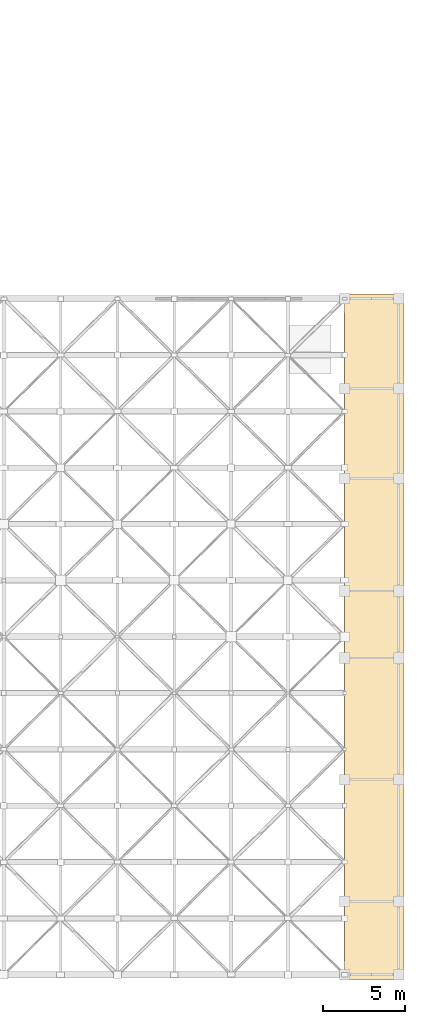
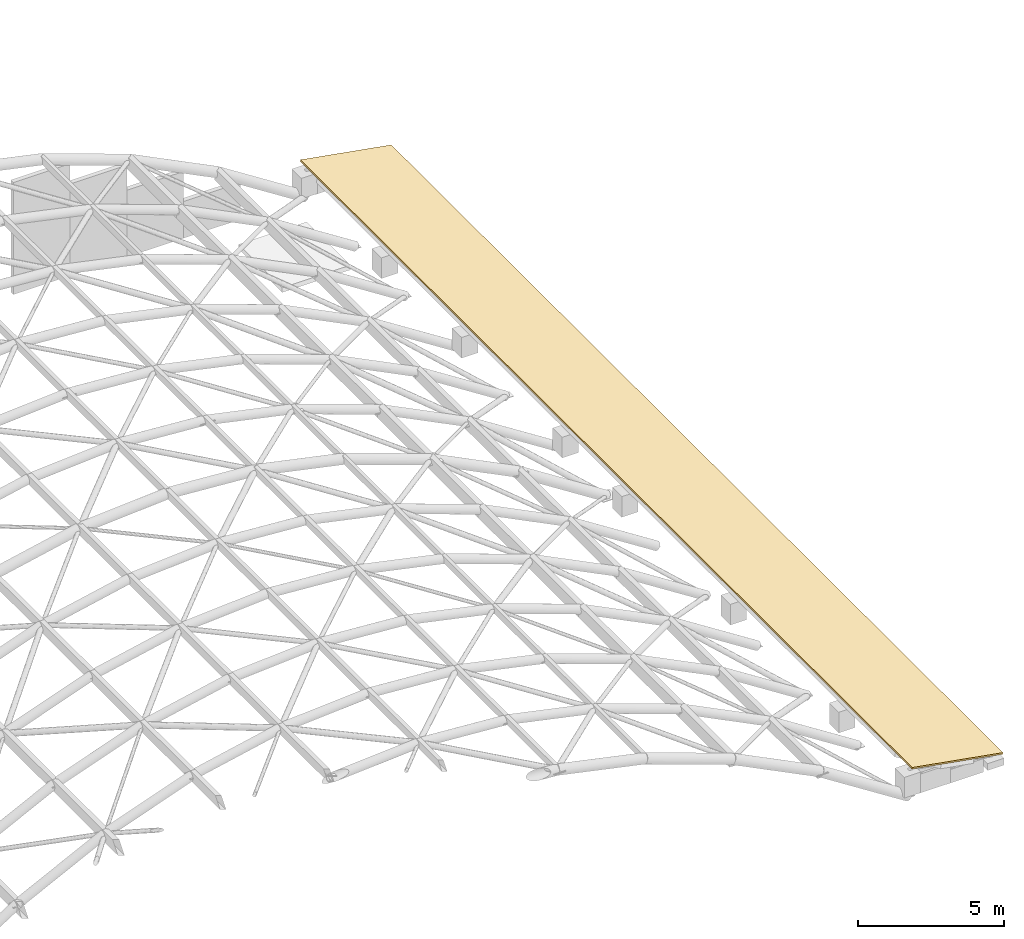
# One storey, part 52 of 52: 1 covering, 1 element without a shape of its own.
"""IFC4 building model written with IfcOpenShell, lengths in metres."""

from ifc_helpers import new_model, si_unit, direction, frame, origin, place, context, subcontext, project, spatial, polyline, outline, extrude, material, layer, layer_set, type_object, element, aggregate, save


model = new_model("IFC4")

# Units and contexts
model_context = context("Model", 3, precision=1e-05, world=origin(), true_north=direction((0.0, 1.0)))
body_context = subcontext(model_context, "Body", "Model", "MODEL_VIEW")
ifc_project = project(units=[si_unit("LENGTHUNIT", "METRE"), si_unit("AREAUNIT", "SQUARE_METRE"), si_unit("VOLUMEUNIT", "CUBIC_METRE"), si_unit("PLANEANGLEUNIT", "RADIAN"), si_unit("MASSUNIT", "GRAM", prefix="KILO")], contexts=[model_context])

# Site, building, storey
site_placement = place(None, origin())
site = spatial("IfcSite", under=ifc_project, at=site_placement, CompositionType="ELEMENT")
building_placement = place(site_placement, origin())
building = spatial("IfcBuilding", under=site, at=building_placement, Name="Candilejo Ridge Gondola Terminal", CompositionType="ELEMENT")
storey_placement = place(building_placement, frame((0.0, 0.0, 18.60009765625)))
storey = spatial("IfcBuildingStorey", under=building, at=storey_placement, Name="L04", CompositionType="ELEMENT", Elevation=18.60009765625)

# Roof, covering
ifc_material_1 = material(Name="Standing-seam Al-Mg-Mn alloy roofing EN AW-3004 1.0 mm", Category="aluminum")
roof_type = type_object("IfcRoofType", Name="ARC-ROOF-SHED", PredefinedType="SHED_ROOF", material=ifc_material_1)
roof_placement = place(storey_placement, origin())
roof = element("IfcRoof", 1, at=roof_placement, inside=storey, type_object=roof_type, Name="Standing-seam shed roof ROOF-SHED-V4-AISLES", PredefinedType="SHED_ROOF")
ifc_material_2 = material(Name="Standing-seam Al-Mg-Mn alloy roofing EN AW-3004 1.0 mm", Category="aluminum")
ifc_layer = layer(ifc_material_2, 0.06494140625)
ifc_layer_set = layer_set([ifc_layer], Name="ARC-COV-KALZIP")
covering_type = type_object("IfcCoveringType", Name="ARC-COV-KALZIP", PredefinedType="ROOFING", material=ifc_layer_set)
covering_placement = place(storey_placement, frame((172.0, 6.0, 1.149658203125), z_axis=(0.173640556864, 0.0, 0.984809096735), x_axis=(0.984809096735, 0.0, -0.173640556864)))
covering = element("IfcCovering", 2, at=covering_placement, type_object=covering_type, Name="Kalzip standing-seam roof sheet RF-V4-EAST", PredefinedType="ROOFING", context=body_context, shape_type="SweptSolid", body=[
    extrude(outline(polyline([(0.0, 0.0), (3.655629977612393, 0.0), (3.655629977612393, 42.0), (0.0, 42.0), (0.0, 0.0)])), origin(), (0.0, 0.0, -1.0), 0.06494140625),
])
aggregate(roof, [covering])

save(model, "model.ifc")
